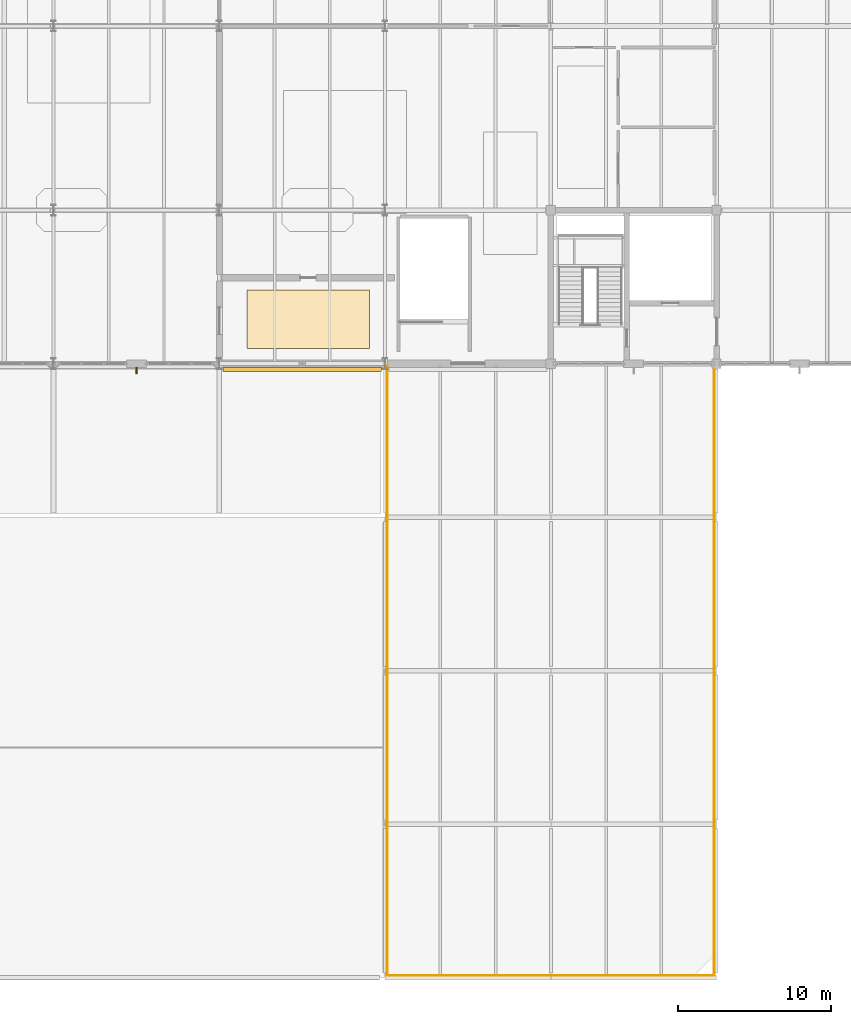
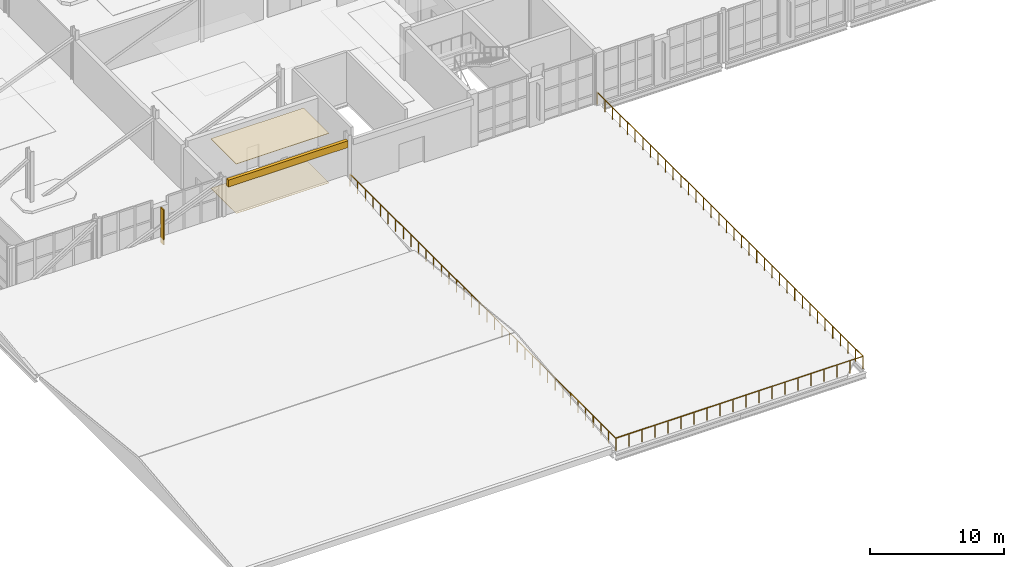
# One storey, part 91 of 100: 3 coverings, 3 railings, 1 shading device.
"""IFC4 building model written with IfcOpenShell, lengths in metres."""

from ifc_helpers import new_model, si_unit, direction, frame, origin, origin_2d, place, context, subcontext, project, spatial, rectangle, circle, extrude, material, layer, layer_set, type_object, element, save


model = new_model("IFC4")

# Units and contexts
model_context = context("Model", 3, precision=1e-05, world=origin(), true_north=direction((0.0, 1.0)))
body_context = subcontext(model_context, "Body", "Model", "MODEL_VIEW")
ifc_project = project(units=[si_unit("LENGTHUNIT", "METRE"), si_unit("AREAUNIT", "SQUARE_METRE"), si_unit("VOLUMEUNIT", "CUBIC_METRE"), si_unit("PLANEANGLEUNIT", "RADIAN"), si_unit("MASSUNIT", "GRAM", prefix="KILO")], contexts=[model_context])

# Site, building, storey
site_placement = place(None, origin())
site = spatial("IfcSite", under=ifc_project, at=site_placement, CompositionType="ELEMENT")
building_placement = place(site_placement, origin())
building = spatial("IfcBuilding", under=site, at=building_placement, Name="Tasgan Crest Museum", CompositionType="ELEMENT")
storey_placement = place(building_placement, frame((0.0, 0.0, 9.60009765625)))
storey = spatial("IfcBuildingStorey", under=building, at=storey_placement, Name="L02", CompositionType="ELEMENT", Elevation=9.60009765625)

# Coverings
ifc_material_1 = material(Name="Perforated Gypsum Acoustic Ceiling")
ifc_layer_1 = layer(ifc_material_1, 0.034912109375, Name="COV-CEIL-ACOUST")
ifc_layer_set_1 = layer_set([ifc_layer_1], Name="Perforated Gypsum Acoustic Ceiling")
covering_type_1 = type_object("IfcCoveringType", Name="COV-CEIL-ACOUST", PredefinedType="CEILING", material=ifc_layer_set_1)
covering_1_placement = place(storey_placement, frame((27.39990234375, 42.89990234375, 4.5048828125), z_axis=(0.0, 0.0, 1.0), x_axis=(1.0, 0.0, 0.0)))
element("IfcCovering", 1, at=covering_1_placement, inside=storey, type_object=covering_type_1, Name="Second Floor West Gallery Corridor acoustic ceiling", PredefinedType="CEILING", context=body_context, shape_type="SweptSolid", body=[
    extrude(rectangle(XDim=8.0, YDim=3.800048828125, at=origin_2d()), origin(), (0.0, 0.0, 1.0), 0.034912109375),
])
ifc_material_2 = material(Name="Engineered Steppe Oak Parquet")
ifc_layer_2 = layer(ifc_material_2, 0.02490234375, Name="COV-FLOOR-OAK")
ifc_layer_set_2 = layer_set([ifc_layer_2], Name="Engineered Steppe Oak Parquet")
covering_type_2 = type_object("IfcCoveringType", Name="COV-FLOOR-OAK", PredefinedType="FLOORING", material=ifc_layer_set_2)
covering_2_placement = place(storey_placement, frame((27.39990234375, 42.89990234375, 0.0), z_axis=(0.0, 0.0, 1.0), x_axis=(1.0, 0.0, 0.0)))
element("IfcCovering", 2, at=covering_2_placement, inside=storey, type_object=covering_type_2, Name="Second Floor West Gallery Corridor floor finish", PredefinedType="FLOORING", context=body_context, shape_type="SweptSolid", body=[
    extrude(rectangle(XDim=8.0, YDim=3.800048828125, at=origin_2d()), origin(), (0.0, 0.0, 1.0), 0.02490234375),
])
ifc_material_3 = material(Name="Honed Rose-Red Mongolian Granite", Category="masonry")
ifc_layer_3 = layer(ifc_material_3, 0.0400390625, Name="COV-GRANITE-ROSE")
ifc_layer_set_3 = layer_set([ifc_layer_3], Name="Honed Rose-Red Mongolian Granite")
covering_type_3 = type_object("IfcCoveringType", Name="COV-GRANITE-ROSE", PredefinedType="CLADDING", material=ifc_layer_set_3)
covering_3_placement = place(storey_placement, frame((27.0, 39.6201171875, 3.889892578125), z_axis=(0.0, 0.0, 1.0), x_axis=(1.0, 0.0, 0.0)))
element("IfcCovering", 3, at=covering_3_placement, inside=storey, type_object=covering_type_3, Name="Stone frieze cladding L02", PredefinedType="CLADDING", context=body_context, shape_type="SweptSolid", body=[
    extrude(rectangle(XDim=10.31005859375, YDim=0.280029296875, at=origin_2d()), origin(), (0.0, 0.0, 1.0), 0.6201171875),
])

# Railings
ifc_material_4 = material(Name="Bronze and Honed Granite Balustrade", Category="masonry")
railing_type_1 = type_object("IfcRailingType", Name="RL-BALUSTRADE-1150", PredefinedType="BALUSTRADE", material=ifc_material_4)
railing_1_placement = place(storey_placement, frame((32.550048828125, 0.14990234375, 0.0)))
element("IfcRailing", 4, at=railing_1_placement, inside=storey, type_object=railing_type_1, Name="Terrace guardrail L02 TR-SOUTH-S", PredefinedType="BALUSTRADE", context=body_context, shape_type="SweptSolid", body=[
    extrude(circle(Radius=0.02392578125, at=origin_2d()), frame((0.0, 0.0, 1.1259765625), z_axis=(1.0, 0.0, 0.0), x_axis=(0.0, 1.0, 0.0)), (0.0, 0.0, 1.0), 21.300048828125),
    extrude(circle(Radius=0.02099609375, at=origin_2d()), origin(), (0.0, 0.0, 1.0), 1.101806640625),
    extrude(circle(Radius=0.02099609375, at=origin_2d()), frame((1.12109375, 0.0, 0.0)), (0.0, 0.0, 1.0), 1.101806640625),
    extrude(circle(Radius=0.02099609375, at=origin_2d()), frame((2.2421875, 0.0, 0.0)), (0.0, 0.0, 1.0), 1.101806640625),
    extrude(circle(Radius=0.02099609375, at=origin_2d()), frame((3.36328125, 0.0, 0.0)), (0.0, 0.0, 1.0), 1.101806640625),
    extrude(circle(Radius=0.02099609375, at=origin_2d()), frame((4.484130859375, 0.0, 0.0)), (0.0, 0.0, 1.0), 1.101806640625),
    extrude(circle(Radius=0.02099609375, at=origin_2d()), frame((5.605224609375, 0.0, 0.0)), (0.0, 0.0, 1.0), 1.101806640625),
    extrude(circle(Radius=0.02099609375, at=origin_2d()), frame((6.726318359375, 0.0, 0.0)), (0.0, 0.0, 1.0), 1.101806640625),
    extrude(circle(Radius=0.02099609375, at=origin_2d()), frame((7.847412109375, 0.0, 0.0)), (0.0, 0.0, 1.0), 1.101806640625),
    extrude(circle(Radius=0.02099609375, at=origin_2d()), frame((8.968505859375, 0.0, 0.0)), (0.0, 0.0, 1.0), 1.101806640625),
    extrude(circle(Radius=0.02099609375, at=origin_2d()), frame((10.089599609375, 0.0, 0.0)), (0.0, 0.0, 1.0), 1.101806640625),
    extrude(circle(Radius=0.02099609375, at=origin_2d()), frame((11.21044921875, 0.0, 0.0)), (0.0, 0.0, 1.0), 1.101806640625),
    extrude(circle(Radius=0.02099609375, at=origin_2d()), frame((12.33154296875, 0.0, 0.0)), (0.0, 0.0, 1.0), 1.101806640625),
    extrude(circle(Radius=0.02099609375, at=origin_2d()), frame((13.45263671875, 0.0, 0.0)), (0.0, 0.0, 1.0), 1.101806640625),
    extrude(circle(Radius=0.02099609375, at=origin_2d()), frame((14.57373046875, 0.0, 0.0)), (0.0, 0.0, 1.0), 1.101806640625),
    extrude(circle(Radius=0.02099609375, at=origin_2d()), frame((15.69482421875, 0.0, 0.0)), (0.0, 0.0, 1.0), 1.101806640625),
    extrude(circle(Radius=0.02099609375, at=origin_2d()), frame((16.81591796875, 0.0, 0.0)), (0.0, 0.0, 1.0), 1.101806640625),
    extrude(circle(Radius=0.02099609375, at=origin_2d()), frame((17.936767578125, 0.0, 0.0)), (0.0, 0.0, 1.0), 1.101806640625),
    extrude(circle(Radius=0.02099609375, at=origin_2d()), frame((19.057861328125, 0.0, 0.0)), (0.0, 0.0, 1.0), 1.101806640625),
    extrude(circle(Radius=0.02099609375, at=origin_2d()), frame((20.178955078125, 0.0, 0.0)), (0.0, 0.0, 1.0), 1.101806640625),
    extrude(circle(Radius=0.02099609375, at=origin_2d()), frame((21.300048828125, 0.0, 0.0)), (0.0, 0.0, 1.0), 1.101806640625),
])
railing_2_placement = place(storey_placement, frame((53.85009765625, 0.14990234375, 0.0)))
element("IfcRailing", 5, at=railing_2_placement, inside=storey, type_object=railing_type_1, Name="Terrace guardrail L02 TR-SOUTH-E", PredefinedType="BALUSTRADE", context=body_context, shape_type="SweptSolid", body=[
    extrude(circle(Radius=0.02392578125, at=origin_2d()), frame((0.0, 0.0, 1.1259765625), z_axis=(0.0, 1.0, 0.0), x_axis=(-1.0, 0.0, 0.0)), (0.0, 0.0, 1.0), 39.7001953125),
    extrude(circle(Radius=0.02099609375, at=origin_2d()), origin(), (0.0, 0.0, 1.0), 1.101806640625),
    extrude(circle(Radius=0.02099609375, at=origin_2d()), frame((0.0, 1.13427734375, 0.0)), (0.0, 0.0, 1.0), 1.101806640625),
    extrude(circle(Radius=0.02099609375, at=origin_2d()), frame((0.0, 2.2685546875, 0.0)), (0.0, 0.0, 1.0), 1.101806640625),
    extrude(circle(Radius=0.02099609375, at=origin_2d()), frame((0.0, 3.40283203125, 0.0)), (0.0, 0.0, 1.0), 1.101806640625),
    extrude(circle(Radius=0.02099609375, at=origin_2d()), frame((0.0, 4.537109375, 0.0)), (0.0, 0.0, 1.0), 1.101806640625),
    extrude(circle(Radius=0.02099609375, at=origin_2d()), frame((0.0, 5.67138671875, 0.0)), (0.0, 0.0, 1.0), 1.101806640625),
    extrude(circle(Radius=0.02099609375, at=origin_2d()), frame((0.0, 6.8056640625, 0.0)), (0.0, 0.0, 1.0), 1.101806640625),
    extrude(circle(Radius=0.02099609375, at=origin_2d()), frame((0.0, 7.93994140625, 0.0)), (0.0, 0.0, 1.0), 1.101806640625),
    extrude(circle(Radius=0.02099609375, at=origin_2d()), frame((0.0, 9.07421875, 0.0)), (0.0, 0.0, 1.0), 1.101806640625),
    extrude(circle(Radius=0.02099609375, at=origin_2d()), frame((0.0, 10.208740234375, 0.0)), (0.0, 0.0, 1.0), 1.101806640625),
    extrude(circle(Radius=0.02099609375, at=origin_2d()), frame((0.0, 11.343017578125, 0.0)), (0.0, 0.0, 1.0), 1.101806640625),
    extrude(circle(Radius=0.02099609375, at=origin_2d()), frame((0.0, 12.477294921875, 0.0)), (0.0, 0.0, 1.0), 1.101806640625),
    extrude(circle(Radius=0.02099609375, at=origin_2d()), frame((0.0, 13.611572265625, 0.0)), (0.0, 0.0, 1.0), 1.101806640625),
    extrude(circle(Radius=0.02099609375, at=origin_2d()), frame((0.0, 14.745849609375, 0.0)), (0.0, 0.0, 1.0), 1.101806640625),
    extrude(circle(Radius=0.02099609375, at=origin_2d()), frame((0.0, 15.880126953125, 0.0)), (0.0, 0.0, 1.0), 1.101806640625),
    extrude(circle(Radius=0.02099609375, at=origin_2d()), frame((0.0, 17.014404296875, 0.0)), (0.0, 0.0, 1.0), 1.101806640625),
    extrude(circle(Radius=0.02099609375, at=origin_2d()), frame((0.0, 18.148681640625, 0.0)), (0.0, 0.0, 1.0), 1.101806640625),
    extrude(circle(Radius=0.02099609375, at=origin_2d()), frame((0.0, 19.282958984375, 0.0)), (0.0, 0.0, 1.0), 1.101806640625),
    extrude(circle(Radius=0.02099609375, at=origin_2d()), frame((0.0, 20.417236328125, 0.0)), (0.0, 0.0, 1.0), 1.101806640625),
    extrude(circle(Radius=0.02099609375, at=origin_2d()), frame((0.0, 21.551513671875, 0.0)), (0.0, 0.0, 1.0), 1.101806640625),
    extrude(circle(Radius=0.02099609375, at=origin_2d()), frame((0.0, 22.685791015625, 0.0)), (0.0, 0.0, 1.0), 1.101806640625),
    extrude(circle(Radius=0.02099609375, at=origin_2d()), frame((0.0, 23.820068359375, 0.0)), (0.0, 0.0, 1.0), 1.101806640625),
    extrude(circle(Radius=0.02099609375, at=origin_2d()), frame((0.0, 24.954345703125, 0.0)), (0.0, 0.0, 1.0), 1.101806640625),
    extrude(circle(Radius=0.02099609375, at=origin_2d()), frame((0.0, 26.088623046875, 0.0)), (0.0, 0.0, 1.0), 1.101806640625),
    extrude(circle(Radius=0.02099609375, at=origin_2d()), frame((0.0, 27.222900390625, 0.0)), (0.0, 0.0, 1.0), 1.101806640625),
    extrude(circle(Radius=0.02099609375, at=origin_2d()), frame((0.0, 28.357177734375, 0.0)), (0.0, 0.0, 1.0), 1.101806640625),
    extrude(circle(Radius=0.02099609375, at=origin_2d()), frame((0.0, 29.491455078125, 0.0)), (0.0, 0.0, 1.0), 1.101806640625),
    extrude(circle(Radius=0.02099609375, at=origin_2d()), frame((0.0, 30.6259765625, 0.0)), (0.0, 0.0, 1.0), 1.101806640625),
    extrude(circle(Radius=0.02099609375, at=origin_2d()), frame((0.0, 31.76025390625, 0.0)), (0.0, 0.0, 1.0), 1.101806640625),
    extrude(circle(Radius=0.02099609375, at=origin_2d()), frame((0.0, 32.89453125, 0.0)), (0.0, 0.0, 1.0), 1.101806640625),
    extrude(circle(Radius=0.02099609375, at=origin_2d()), frame((0.0, 34.02880859375, 0.0)), (0.0, 0.0, 1.0), 1.101806640625),
    extrude(circle(Radius=0.02099609375, at=origin_2d()), frame((0.0, 35.1630859375, 0.0)), (0.0, 0.0, 1.0), 1.101806640625),
    extrude(circle(Radius=0.02099609375, at=origin_2d()), frame((0.0, 36.29736328125, 0.0)), (0.0, 0.0, 1.0), 1.101806640625),
    extrude(circle(Radius=0.02099609375, at=origin_2d()), frame((0.0, 37.431640625, 0.0)), (0.0, 0.0, 1.0), 1.101806640625),
    extrude(circle(Radius=0.02099609375, at=origin_2d()), frame((0.0, 38.56591796875, 0.0)), (0.0, 0.0, 1.0), 1.101806640625),
    extrude(circle(Radius=0.02099609375, at=origin_2d()), frame((0.0, 39.7001953125, 0.0)), (0.0, 0.0, 1.0), 1.101806640625),
])
ifc_material_5 = material(Name="Painted Galvanised Steel", Category="steel")
railing_type_2 = type_object("IfcRailingType", Name="RL-TERR-GUARD-1120", PredefinedType="GUARDRAIL", material=ifc_material_5)
railing_3_placement = place(storey_placement, frame((32.550048828125, 39.85009765625, 0.0)))
element("IfcRailing", 6, at=railing_3_placement, inside=storey, type_object=railing_type_2, Name="Terrace guardrail L02 TR-SOUTH-W", PredefinedType="GUARDRAIL", context=body_context, shape_type="SweptSolid", body=[
    extrude(circle(Radius=0.02392578125, at=origin_2d()), frame((0.0, 0.0, 1.09619140625), z_axis=(0.0, -1.0, 0.0), x_axis=(1.0, 0.0, 0.0)), (0.0, 0.0, 1.0), 39.7001953125),
    extrude(circle(Radius=0.02099609375, at=origin_2d()), origin(), (0.0, 0.0, 1.0), 1.072021484375),
    extrude(circle(Radius=0.02099609375, at=origin_2d()), frame((0.0, -1.13427734375, 0.0)), (0.0, 0.0, 1.0), 1.072021484375),
    extrude(circle(Radius=0.02099609375, at=origin_2d()), frame((0.0, -2.2685546875, 0.0)), (0.0, 0.0, 1.0), 1.072021484375),
    extrude(circle(Radius=0.02099609375, at=origin_2d()), frame((0.0, -3.40283203125, 0.0)), (0.0, 0.0, 1.0), 1.072021484375),
    extrude(circle(Radius=0.02099609375, at=origin_2d()), frame((0.0, -4.537109375, 0.0)), (0.0, 0.0, 1.0), 1.072021484375),
    extrude(circle(Radius=0.02099609375, at=origin_2d()), frame((0.0, -5.67138671875, 0.0)), (0.0, 0.0, 1.0), 1.072021484375),
    extrude(circle(Radius=0.02099609375, at=origin_2d()), frame((0.0, -6.8056640625, 0.0)), (0.0, 0.0, 1.0), 1.072021484375),
    extrude(circle(Radius=0.02099609375, at=origin_2d()), frame((0.0, -7.93994140625, 0.0)), (0.0, 0.0, 1.0), 1.072021484375),
    extrude(circle(Radius=0.02099609375, at=origin_2d()), frame((0.0, -9.07421875, 0.0)), (0.0, 0.0, 1.0), 1.072021484375),
    extrude(circle(Radius=0.02099609375, at=origin_2d()), frame((0.0, -10.208740234375, 0.0)), (0.0, 0.0, 1.0), 1.072021484375),
    extrude(circle(Radius=0.02099609375, at=origin_2d()), frame((0.0, -11.343017578125, 0.0)), (0.0, 0.0, 1.0), 1.072021484375),
    extrude(circle(Radius=0.02099609375, at=origin_2d()), frame((0.0, -12.477294921875, 0.0)), (0.0, 0.0, 1.0), 1.072021484375),
    extrude(circle(Radius=0.02099609375, at=origin_2d()), frame((0.0, -13.611572265625, 0.0)), (0.0, 0.0, 1.0), 1.072021484375),
    extrude(circle(Radius=0.02099609375, at=origin_2d()), frame((0.0, -14.745849609375, 0.0)), (0.0, 0.0, 1.0), 1.072021484375),
    extrude(circle(Radius=0.02099609375, at=origin_2d()), frame((0.0, -15.880126953125, 0.0)), (0.0, 0.0, 1.0), 1.072021484375),
    extrude(circle(Radius=0.02099609375, at=origin_2d()), frame((0.0, -17.014404296875, 0.0)), (0.0, 0.0, 1.0), 1.072021484375),
    extrude(circle(Radius=0.02099609375, at=origin_2d()), frame((0.0, -18.148681640625, 0.0)), (0.0, 0.0, 1.0), 1.072021484375),
    extrude(circle(Radius=0.02099609375, at=origin_2d()), frame((0.0, -19.282958984375, 0.0)), (0.0, 0.0, 1.0), 1.072021484375),
    extrude(circle(Radius=0.02099609375, at=origin_2d()), frame((0.0, -20.417236328125, 0.0)), (0.0, 0.0, 1.0), 1.072021484375),
    extrude(circle(Radius=0.02099609375, at=origin_2d()), frame((0.0, -21.551513671875, 0.0)), (0.0, 0.0, 1.0), 1.072021484375),
    extrude(circle(Radius=0.02099609375, at=origin_2d()), frame((0.0, -22.685791015625, 0.0)), (0.0, 0.0, 1.0), 1.072021484375),
    extrude(circle(Radius=0.02099609375, at=origin_2d()), frame((0.0, -23.820068359375, 0.0)), (0.0, 0.0, 1.0), 1.072021484375),
    extrude(circle(Radius=0.02099609375, at=origin_2d()), frame((0.0, -24.954345703125, 0.0)), (0.0, 0.0, 1.0), 1.072021484375),
    extrude(circle(Radius=0.02099609375, at=origin_2d()), frame((0.0, -26.088623046875, 0.0)), (0.0, 0.0, 1.0), 1.072021484375),
    extrude(circle(Radius=0.02099609375, at=origin_2d()), frame((0.0, -27.222900390625, 0.0)), (0.0, 0.0, 1.0), 1.072021484375),
    extrude(circle(Radius=0.02099609375, at=origin_2d()), frame((0.0, -28.357177734375, 0.0)), (0.0, 0.0, 1.0), 1.072021484375),
    extrude(circle(Radius=0.02099609375, at=origin_2d()), frame((0.0, -29.491455078125, 0.0)), (0.0, 0.0, 1.0), 1.072021484375),
    extrude(circle(Radius=0.02099609375, at=origin_2d()), frame((0.0, -30.6259765625, 0.0)), (0.0, 0.0, 1.0), 1.072021484375),
    extrude(circle(Radius=0.02099609375, at=origin_2d()), frame((0.0, -31.76025390625, 0.0)), (0.0, 0.0, 1.0), 1.072021484375),
    extrude(circle(Radius=0.02099609375, at=origin_2d()), frame((0.0, -32.89453125, 0.0)), (0.0, 0.0, 1.0), 1.072021484375),
    extrude(circle(Radius=0.02099609375, at=origin_2d()), frame((0.0, -34.02880859375, 0.0)), (0.0, 0.0, 1.0), 1.072021484375),
    extrude(circle(Radius=0.02099609375, at=origin_2d()), frame((0.0, -35.1630859375, 0.0)), (0.0, 0.0, 1.0), 1.072021484375),
    extrude(circle(Radius=0.02099609375, at=origin_2d()), frame((0.0, -36.29736328125, 0.0)), (0.0, 0.0, 1.0), 1.072021484375),
    extrude(circle(Radius=0.02099609375, at=origin_2d()), frame((0.0, -37.431640625, 0.0)), (0.0, 0.0, 1.0), 1.072021484375),
    extrude(circle(Radius=0.02099609375, at=origin_2d()), frame((0.0, -38.56591796875, 0.0)), (0.0, 0.0, 1.0), 1.072021484375),
    extrude(circle(Radius=0.02099609375, at=origin_2d()), frame((0.0, -39.7001953125, 0.0)), (0.0, 0.0, 1.0), 1.072021484375),
])

# Shading device
ifc_material_6 = material(Name="Anodised Bronze Aluminium", Category="aluminium")
shading_device_type = type_object("IfcShadingDeviceType", Name="SH-FIN-V400", PredefinedType="JALOUSIE", material=ifc_material_6)
shading_device_placement = place(storey_placement, frame((16.199951171875, 39.550048828125, 0.6796875), z_axis=(0.0, 0.0, 1.0), x_axis=(1.0, 0.0, 0.0)))
element("IfcShadingDevice", 7, at=shading_device_placement, inside=storey, type_object=shading_device_type, Name="Facade pier solar fin L02", PredefinedType="JALOUSIE", context=body_context, shape_type="SweptSolid", body=[
    extrude(rectangle(XDim=0.080078125, YDim=0.419921875, at=origin_2d()), origin(), (0.0, 0.0, 1.0), 3.199951171875),
])

save(model, "model.ifc")
